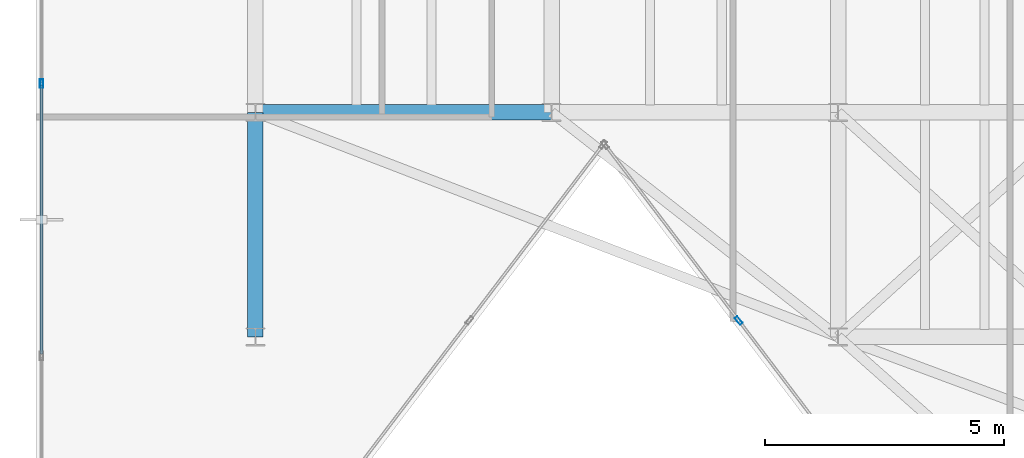
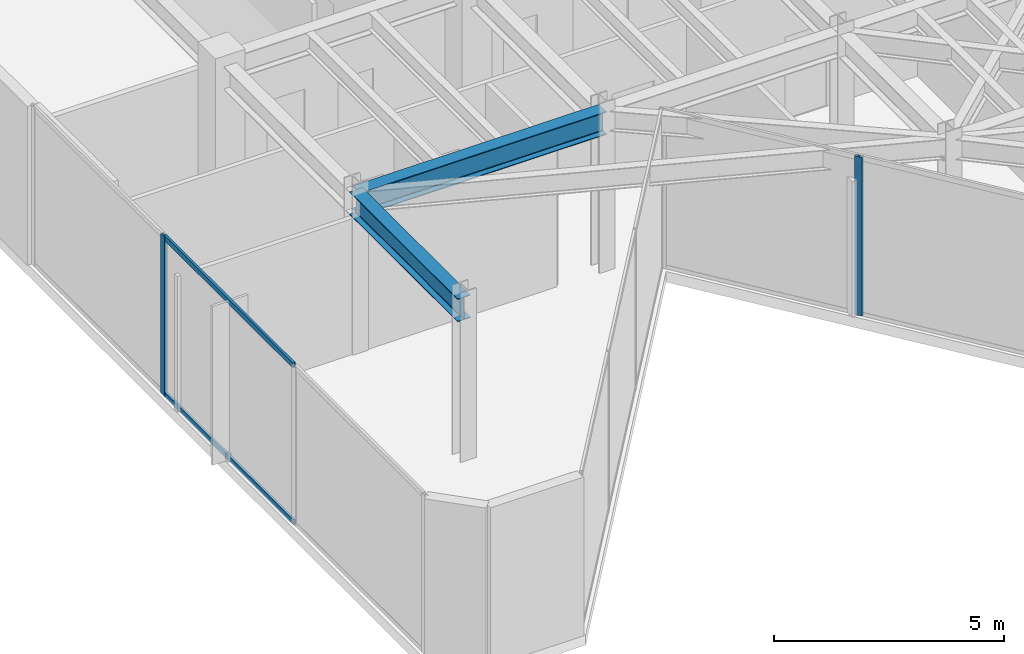
# One storey, part 3 of 17: 4 members, 2 beams, 2 elements without a shape of their own.
"""IFC4 building model written with IfcOpenShell, lengths in metres."""

from ifc_helpers import new_model, si_unit, direction, frame, origin, origin_2d, place, context, subcontext, project, spatial, hollow_rectangle, i_section, extrude, material, layer, layer_set, material_profile, profile_set, type_object, element, aggregate, save


model = new_model("IFC4")

# Units and contexts
model_context = context("Model", 3, precision=1e-05, world=origin(), true_north=direction((0.0, 1.0)))
body_context = subcontext(model_context, "Body", "Model", "MODEL_VIEW")
ifc_project = project(units=[si_unit("LENGTHUNIT", "METRE"), si_unit("AREAUNIT", "SQUARE_METRE"), si_unit("VOLUMEUNIT", "CUBIC_METRE"), si_unit("PLANEANGLEUNIT", "RADIAN"), si_unit("MASSUNIT", "GRAM", prefix="KILO")], contexts=[model_context])

# Site, building, storey
site_placement = place(None, origin())
site = spatial("IfcSite", under=ifc_project, at=site_placement, CompositionType="ELEMENT")
building_placement = place(site_placement, origin())
building = spatial("IfcBuilding", under=site, at=building_placement, Name="Kravanh Interchange Tower", CompositionType="ELEMENT")
storey_placement = place(building_placement, frame((0.0, 0.0, 311.10009765625)))
storey = spatial("IfcBuildingStorey", under=building, at=storey_placement, Name="L77", CompositionType="ELEMENT", Elevation=311.10009765625)

# Curtain wall, member
ifc_material_1 = material(Name="Anodised Bronze Aluminium", Category="aluminium")
ifc_layer = layer(ifc_material_1, 0.179931640625)
ifc_layer_set = layer_set([ifc_layer], Name="Unitised Curtain Wall System CW-SKY Sky Observatory")
curtain_wall_type = type_object("IfcCurtainWallType", Name="Unitised Curtain Wall System CW-SKY Sky Observatory", PredefinedType="NOTDEFINED", material=ifc_layer_set)
curtain_wall_1_placement = place(storey_placement, origin())
curtain_wall_1 = element("IfcCurtainWall", 1, at=curtain_wall_1_placement, inside=storey, type_object=curtain_wall_type, Name="L77 Unitised Curtain Wall CW-L77-01", PredefinedType="NOTDEFINED")
ifc_material_2 = material(Name="Anodised Bronze Aluminium", Category="aluminium")
ifc_material_profile_1 = material_profile(ifc_material_2, hollow_rectangle(XDim=0.070068359375, YDim=0.179931640625, WallThickness=0.00390625, at=origin_2d()), Name="ALU70X180X4")
ifc_profile_set_1 = profile_set([ifc_material_profile_1], Name="Anodised Bronze Aluminium")
member_type_1 = type_object("IfcMemberType", Name="Curtain Wall Mullion ALU70X180X4 Bronze", PredefinedType="MULLION", material=ifc_profile_set_1)
member_1_placement = place(storey_placement, frame((34.1201171875, 32.099853515625, 0.0), z_axis=(0.0, 0.0, 1.0), x_axis=(-1.0, 0.0, 0.0)))
member_1 = element("IfcMember", 2, at=member_1_placement, type_object=member_type_1, Name="CW-SKY mullion 3", PredefinedType="MULLION", context=body_context, shape_type="SweptSolid", body=[
    extrude(hollow_rectangle(XDim=0.070068359375, YDim=0.179931640625, WallThickness=0.00390625, at=origin_2d()), origin(), (0.0, 0.0, 1.0), 4.219970703125),
])

curtain_wall_2_placement = place(storey_placement, origin())
curtain_wall_2 = element("IfcCurtainWall", 3, at=curtain_wall_2_placement, inside=storey, type_object=curtain_wall_type, Name="L77 Unitised Curtain Wall CW-L77-05", PredefinedType="NOTDEFINED")
member_2_placement = place(storey_placement, frame((48.7197265625, 27.140625, 0.0), z_axis=(0.0, 0.0, 1.0), x_axis=(-0.796161642797, -0.605083992962, 0.0)))
member_2 = element("IfcMember", 4, at=member_2_placement, type_object=member_type_1, Name="CW-SKY mullion 3", PredefinedType="MULLION", context=body_context, shape_type="SweptSolid", body=[
    extrude(hollow_rectangle(XDim=0.070068359375, YDim=0.179931640625, WallThickness=0.00390625, at=origin_2d()), origin(), (0.0, 0.0, 1.0), 4.219970703125),
])
aggregate(curtain_wall_2, [member_2])

# Member
ifc_material_3 = material(Name="Anodised Bronze Aluminium", Category="aluminium")
ifc_material_profile_2 = material_profile(ifc_material_3, hollow_rectangle(XDim=0.06005859375, YDim=0.139892578125, WallThickness=0.00390625, at=origin_2d()), Name="ALU60X140X4")
ifc_profile_set_2 = profile_set([ifc_material_profile_2], Name="Anodised Bronze Aluminium")
member_type_2 = type_object("IfcMemberType", Name="Curtain Wall Transom ALU60X140X4 Bronze", PredefinedType="USERDEFINED", material=ifc_profile_set_2)
member_3_placement = place(storey_placement, frame((34.1201171875, 26.434814453125, 0.02978515625), z_axis=(0.0, 1.0, 0.0), x_axis=(-1.0, 0.0, 0.0)))
member_3 = element("IfcMember", 5, at=member_3_placement, type_object=member_type_2, Name="CW-SKY transom 2.1", ObjectType="TRANSOM", PredefinedType="USERDEFINED", context=body_context, shape_type="SweptSolid", body=[
    extrude(hollow_rectangle(XDim=0.06005859375, YDim=0.139892578125, WallThickness=0.00390625, at=origin_2d()), origin(), (0.0, 0.0, 1.0), 5.630126953125),
])

member_4_placement = place(storey_placement, frame((34.1201171875, 26.434814453125, 4.18994140625), z_axis=(0.0, 1.0, 0.0), x_axis=(-1.0, 0.0, 0.0)))
member_4 = element("IfcMember", 6, at=member_4_placement, type_object=member_type_2, Name="CW-SKY transom 2.2", ObjectType="TRANSOM", PredefinedType="USERDEFINED", context=body_context, shape_type="SweptSolid", body=[
    extrude(hollow_rectangle(XDim=0.06005859375, YDim=0.139892578125, WallThickness=0.00390625, at=origin_2d()), origin(), (0.0, 0.0, 1.0), 5.630126953125),
])

aggregate(curtain_wall_1, [member_1, member_3, member_4])

# Beams
ifc_material_4 = material(Name="Structural Steel S355", Category="steel")
ifc_material_profile_3 = material_profile(ifc_material_4, i_section(OverallWidth=0.323974609375, OverallDepth=0.611083984375, WebThickness=0.0126953125, FlangeThickness=0.01904296875, FilletRadius=0.02197265625, at=origin_2d()), Name="W24X104")
ifc_profile_set_3 = profile_set([ifc_material_profile_3], Name="Structural Steel S355")
beam_type = type_object("IfcBeamType", Name="Floor Beam W24X104 Structural Steel S355", PredefinedType="BEAM", material=ifc_profile_set_3)
beam_1_placement = place(storey_placement, frame((44.800048828125, 31.5, 3.914306640625), z_axis=(-1.0, 0.0, 0.0), x_axis=(0.0, -1.0, 0.0)))
element("IfcBeam", 7, at=beam_1_placement, inside=storey, type_object=beam_type, Name="L77 Primary Floor Girder 3", PredefinedType="BEAM", context=body_context, shape_type="SweptSolid", body=[
    extrude(i_section(OverallWidth=0.323974609375, OverallDepth=0.611083984375, WebThickness=0.0126953125, FlangeThickness=0.01904296875, FilletRadius=0.02197265625, at=origin_2d()), origin(), (0.0, 0.0, 1.0), 6.199951171875),
])
beam_2_placement = place(storey_placement, frame((38.60009765625, 31.5, 3.914306640625), z_axis=(0.0, -1.0, 0.0), x_axis=(1.0, 0.0, 0.0)))
element("IfcBeam", 8, at=beam_2_placement, inside=storey, type_object=beam_type, Name="L77 Primary Floor Girder 17", PredefinedType="BEAM", context=body_context, shape_type="SweptSolid", body=[
    extrude(i_section(OverallWidth=0.323974609375, OverallDepth=0.611083984375, WebThickness=0.0126953125, FlangeThickness=0.01904296875, FilletRadius=0.02197265625, at=origin_2d()), origin(), (0.0, 0.0, 1.0), 4.699951171875),
])

save(model, "model.ifc")
